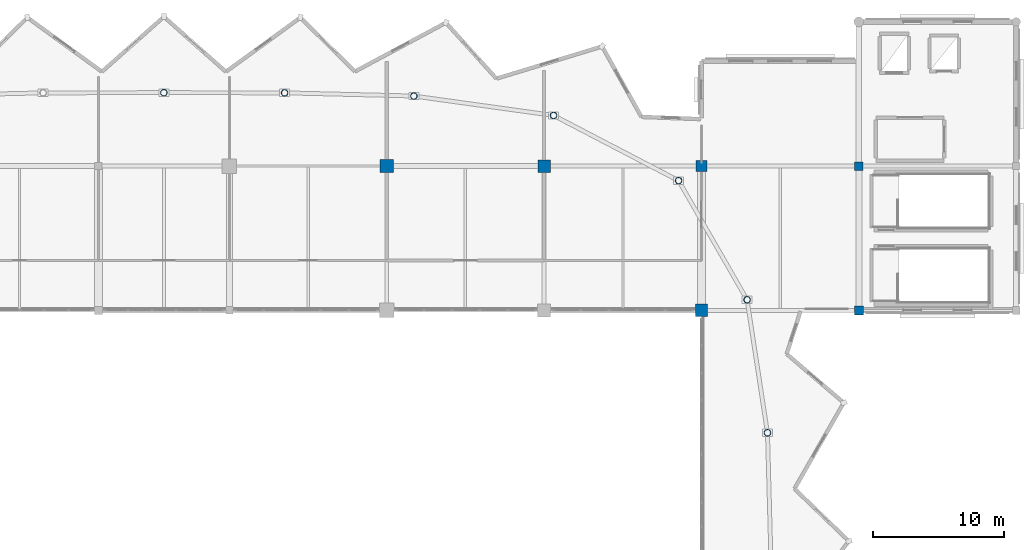
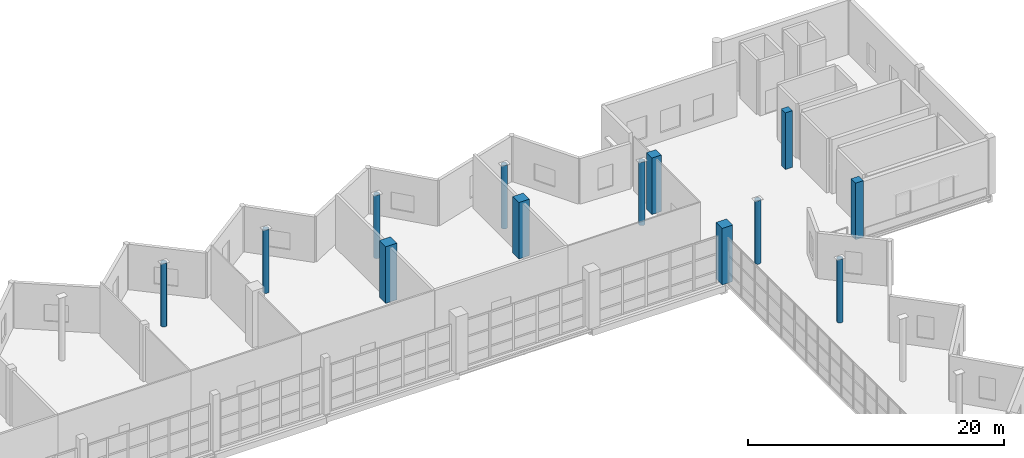
# One storey, part 9 of 49: 13 columns.
"""IFC4 building model written with IfcOpenShell, lengths in metres."""

from ifc_helpers import new_model, si_unit, direction, frame, origin, origin_2d, place, context, subcontext, project, spatial, rectangle, hollow_circle, extrude, material, material_profile, profile_set, type_object, element, save


model = new_model("IFC4")

# Units and contexts
model_context = context("Model", 3, precision=1e-05, world=origin(), true_north=direction((0.0, 1.0)))
body_context = subcontext(model_context, "Body", "Model", "MODEL_VIEW")
ifc_project = project(units=[si_unit("LENGTHUNIT", "METRE"), si_unit("AREAUNIT", "SQUARE_METRE"), si_unit("VOLUMEUNIT", "CUBIC_METRE"), si_unit("PLANEANGLEUNIT", "RADIAN"), si_unit("MASSUNIT", "GRAM", prefix="KILO")], contexts=[model_context])

# Site, building, storey
site_placement = place(None, origin())
site = spatial("IfcSite", under=ifc_project, at=site_placement, CompositionType="ELEMENT")
building_placement = place(site_placement, origin())
building = spatial("IfcBuilding", under=site, at=building_placement, Name="Luwafu Chhajja Arena", CompositionType="ELEMENT")
storey_placement = place(building_placement, frame((0.0, 0.0, 24.300048828125)))
storey = spatial("IfcBuildingStorey", under=building, at=storey_placement, Name="L05", CompositionType="ELEMENT", Elevation=24.300048828125)

# Columns
ifc_material_1 = material(Name="Concrete C40/50", Category="concrete")
ifc_material_profile_1 = material_profile(ifc_material_1, rectangle(XDim=1.0, YDim=1.0, at=origin_2d()), Name="RC 1000x1000")
ifc_profile_set_1 = profile_set([ifc_material_profile_1], Name="Concrete C40/50")
column_type_1 = type_object("IfcColumnType", Name="Bowl Primary Column RC 1000", PredefinedType="COLUMN", material=ifc_profile_set_1)
column_1_placement = place(storey_placement, frame((116.0, 88.0, 0.0), z_axis=(0.0, 0.0, 1.0), x_axis=(1.0, 0.0, 0.0)))
element("IfcColumn", 1, at=column_1_placement, inside=storey, type_object=column_type_1, Name="L05 Grid Column 11/J", PredefinedType="COLUMN", context=body_context, shape_type="SweptSolid", body=[
    extrude(rectangle(XDim=1.0, YDim=1.0, at=origin_2d()), origin(), (0.0, 0.0, 1.0), 5.39990234375),
])
ifc_material_profile_2 = material_profile(ifc_material_1, rectangle(XDim=0.949951171875, YDim=0.949951171875, at=origin_2d()), Name="RC 950x950")
ifc_profile_set_2 = profile_set([ifc_material_profile_2], Name="Concrete C40/50")
column_type_2 = type_object("IfcColumnType", Name="Bowl Raker Support Column RC 950", PredefinedType="COLUMN", material=ifc_profile_set_2)
for number, where, z_axis, x_axis, name in (
    (2, (128.0, 88.0, 0.0), (0.0, 0.0, 1.0), (1.0, 0.0, 0.0), "L05 Grid Column 12/J"),
    (3, (140.0, 77.0, 0.0), (0.0, 0.0, 1.0), (1.0, 0.0, 0.0), "L05 Grid Column 13/H"),
):
    element("IfcColumn", number, at=place(storey_placement, frame(where, z_axis=z_axis, x_axis=x_axis)), inside=storey, type_object=column_type_2, Name=name, PredefinedType="COLUMN", context=body_context, shape_type="SweptSolid", body=[
        extrude(rectangle(XDim=0.949951171875, YDim=0.949951171875, at=origin_2d()), origin(), (0.0, 0.0, 1.0), 5.39990234375),
    ])
ifc_material_2 = material(Name="Concrete C35/45", Category="concrete")
ifc_material_profile_3 = material_profile(ifc_material_2, rectangle(XDim=0.85009765625, YDim=0.85009765625, at=origin_2d()), Name="RC 850x850")
ifc_profile_set_3 = profile_set([ifc_material_profile_3], Name="Concrete C35/45")
column_type_3 = type_object("IfcColumnType", Name="Concourse Heavy Column RC 850", PredefinedType="COLUMN", material=ifc_profile_set_3)
column_2_placement = place(storey_placement, frame((140.0, 88.0, 0.0), z_axis=(0.0, 0.0, 1.0), x_axis=(1.0, 0.0, 0.0)))
element("IfcColumn", 4, at=column_2_placement, inside=storey, type_object=column_type_3, Name="L05 Grid Column 13/J", PredefinedType="COLUMN", context=body_context, shape_type="SweptSolid", body=[
    extrude(rectangle(XDim=0.85009765625, YDim=0.85009765625, at=origin_2d()), origin(), (0.0, 0.0, 1.0), 5.39990234375),
])
ifc_material_3 = material(Name="Steel S355", Category="steel")
ifc_material_profile_4 = material_profile(ifc_material_3, hollow_circle(Radius=0.25390625, WallThickness=0.02001953125, at=origin_2d()), Name="CHS 508x20")
ifc_profile_set_4 = profile_set([ifc_material_profile_4], Name="Steel S355")
column_type_4 = type_object("IfcColumnType", Name="Steel Upper Drum Column CHS 508", PredefinedType="COLUMN", material=ifc_profile_set_4)
for number, where, z_axis, x_axis, name in (
    (5, (145.031982421875, 67.6611328125, 0.0), (0.0, 0.0, 1.0), (1.0, 0.0, 0.0), "L05 Bowl Drum Column D03"),
    (6, (143.47607421875, 77.805908203125, 0.0), (0.0, 0.0, 1.0), (1.0, 0.0, 0.0), "L05 Bowl Drum Column D04"),
    (7, (138.256103515625, 86.890869140625, 0.0), (0.0, 0.0, 1.0), (1.0, 0.0, 0.0), "L05 Bowl Drum Column D05"),
    (8, (128.718017578125, 91.86279296875, 0.0), (0.0, 0.0, 1.0), (1.0, 0.0, 0.0), "L05 Bowl Drum Column D06"),
    (9, (118.067138671875, 93.3447265625, 0.0), (0.0, 0.0, 1.0), (1.0, 0.0, 0.0), "L05 Bowl Drum Column D07"),
    (10, (108.207275390625, 93.588134765625, 0.0), (0.0, 0.0, 1.0), (1.0, 0.0, 0.0), "L05 Bowl Drum Column D08"),
    (11, (99.0, 93.60009765625, 0.0), (0.0, 0.0, 1.0), (1.0, 0.0, 0.0), "L05 Bowl Drum Column D09"),
):
    element("IfcColumn", number, at=place(storey_placement, frame(where, z_axis=z_axis, x_axis=x_axis)), inside=storey, type_object=column_type_4, Name=name, PredefinedType="COLUMN", context=body_context, shape_type="SweptSolid", body=[
        extrude(hollow_circle(Radius=0.25390625, WallThickness=0.02001953125, at=origin_2d()), origin(), (0.0, 0.0, 1.0), 6.050048828125),
    ])
ifc_material_profile_5 = material_profile(ifc_material_2, rectangle(XDim=0.64990234375, YDim=0.64990234375, at=origin_2d()), Name="RC 650x650")
ifc_profile_set_5 = profile_set([ifc_material_profile_5], Name="Concrete C35/45")
column_type_5 = type_object("IfcColumnType", Name="Upper Wing Column RC 650", PredefinedType="COLUMN", material=ifc_profile_set_5)
column_3_placement = place(storey_placement, frame((152.0, 88.0, 0.0), z_axis=(0.0, 0.0, 1.0), x_axis=(1.0, 0.0, 0.0)))
element("IfcColumn", 12, at=column_3_placement, inside=storey, type_object=column_type_5, Name="L05 Grid Column 14/J", PredefinedType="COLUMN", context=body_context, shape_type="SweptSolid", body=[
    extrude(rectangle(XDim=0.64990234375, YDim=0.64990234375, at=origin_2d()), origin(), (0.0, 0.0, 1.0), 5.39990234375),
])
ifc_material_profile_6 = material_profile(ifc_material_2, rectangle(XDim=0.699951171875, YDim=0.699951171875, at=origin_2d()), Name="RC 700x700")
ifc_profile_set_6 = profile_set([ifc_material_profile_6], Name="Concrete C35/45")
column_type_6 = type_object("IfcColumnType", Name="Wing Frame Column RC 700", PredefinedType="COLUMN", material=ifc_profile_set_6)
column_4_placement = place(storey_placement, frame((152.0, 77.0, 0.0), z_axis=(0.0, 0.0, 1.0), x_axis=(1.0, 0.0, 0.0)))
element("IfcColumn", 13, at=column_4_placement, inside=storey, type_object=column_type_6, Name="L05 Grid Column 14/H", PredefinedType="COLUMN", context=body_context, shape_type="SweptSolid", body=[
    extrude(rectangle(XDim=0.699951171875, YDim=0.699951171875, at=origin_2d()), origin(), (0.0, 0.0, 1.0), 5.39990234375),
])

save(model, "model.ifc")
